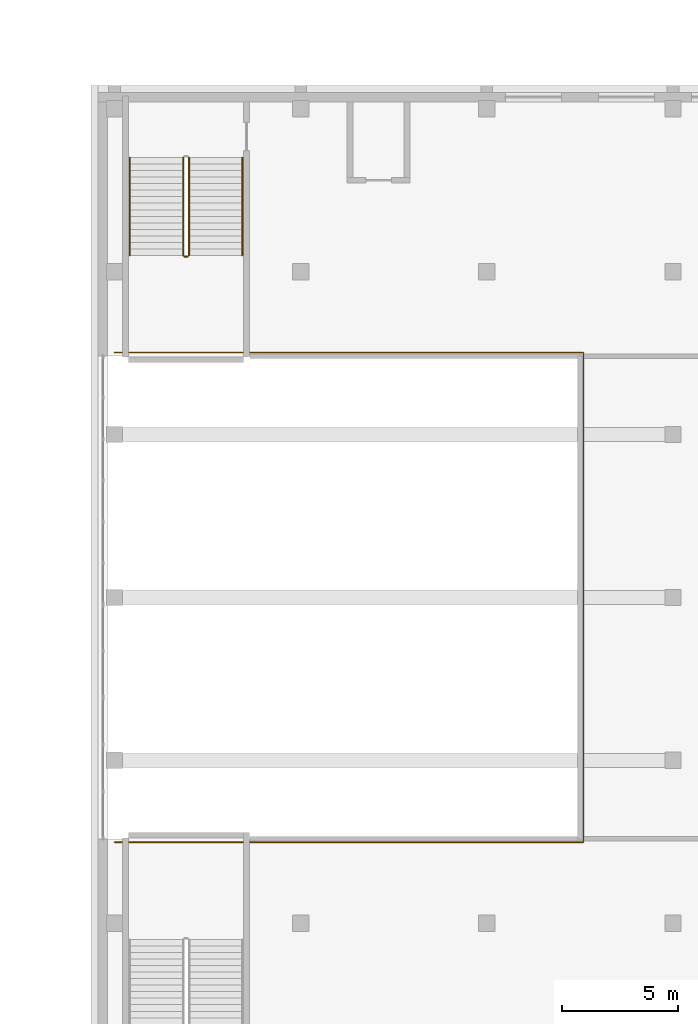
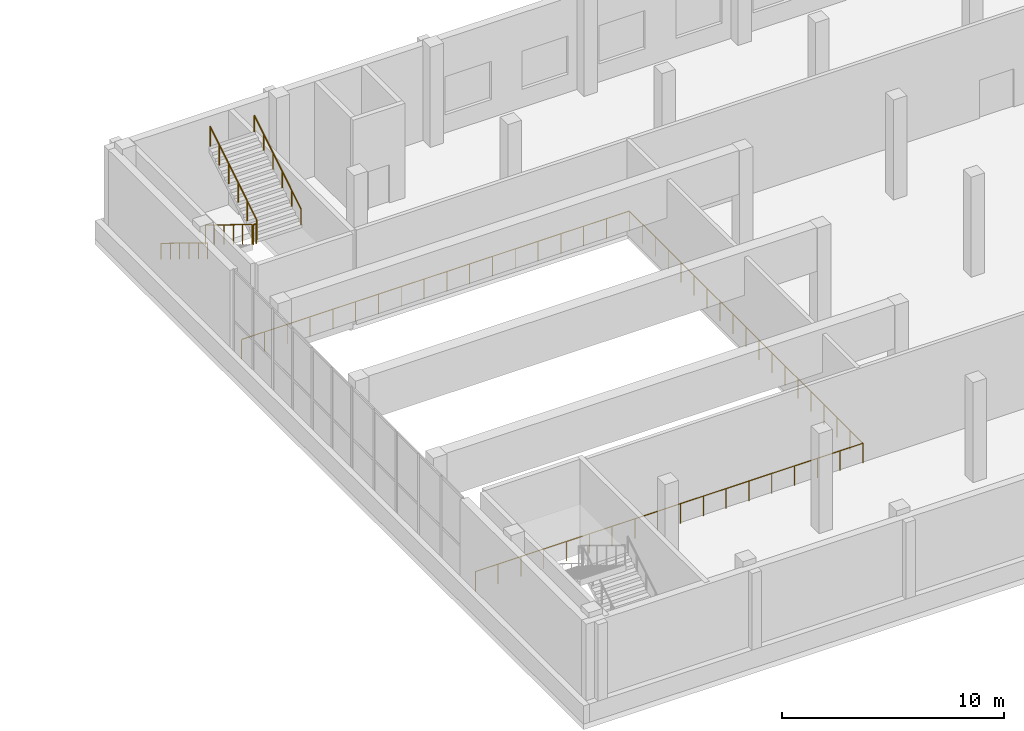
# One storey, part 32 of 35: 6 railings.
"""IFC4 building model written with IfcOpenShell, lengths in metres."""

from ifc_helpers import new_model, si_unit, direction, frame, origin, origin_2d, place, context, subcontext, project, spatial, circle, extrude, material, type_object, element, save


model = new_model("IFC4")

# Units and contexts
model_context = context("Model", 3, precision=1e-05, world=origin(), true_north=direction((0.0, 1.0)))
body_context = subcontext(model_context, "Body", "Model", "MODEL_VIEW")
ifc_project = project(units=[si_unit("LENGTHUNIT", "METRE"), si_unit("AREAUNIT", "SQUARE_METRE"), si_unit("VOLUMEUNIT", "CUBIC_METRE"), si_unit("PLANEANGLEUNIT", "RADIAN"), si_unit("MASSUNIT", "GRAM", prefix="KILO")], contexts=[model_context])

# Site, building, storey
site_placement = place(None, origin())
site = spatial("IfcSite", under=ifc_project, at=site_placement, CompositionType="ELEMENT")
building_placement = place(site_placement, origin())
building = spatial("IfcBuilding", under=site, at=building_placement, Name="Tamorin Gate", CompositionType="ELEMENT")
storey_placement = place(building_placement, frame((0.0, 0.0, 8.0)))
storey = spatial("IfcBuildingStorey", under=building, at=storey_placement, Name="L01", CompositionType="ELEMENT", Elevation=8.0)

# Railings
ifc_material = material(Name="Steel, galvanised", Category="steel")
railing_type_1 = type_object("IfcRailingType", Name="Steel guard 1100 museum", PredefinedType="GUARDRAIL", material=ifc_material)
railing_1_placement = place(storey_placement, frame((145.699951171875, 66.179931640625, 0.0)))
element("IfcRailing", 1, at=railing_1_placement, inside=storey, type_object=railing_type_1, Name="Atrium guard", PredefinedType="GUARDRAIL", context=body_context, shape_type="SweptSolid", body=[
    extrude(circle(Radius=0.02392578125, at=origin_2d()), frame((0.0, 0.0, 1.076171875), z_axis=(1.0, 0.0, 0.0), x_axis=(0.0, 1.0, 0.0)), (0.0, 0.0, 1.0), 20.150146484375),
    extrude(circle(Radius=0.02392578125, at=origin_2d()), frame((20.150146484375, 0.0, 1.076171875), z_axis=(0.0, 1.0, 0.0), x_axis=(-1.0, 0.0, 0.0)), (0.0, 0.0, 1.0), 21.0400390625),
    extrude(circle(Radius=0.02392578125, at=origin_2d()), frame((20.150146484375, 21.0400390625, 1.076171875), z_axis=(-1.0, 0.0, 0.0), x_axis=(0.0, -1.0, 0.0)), (0.0, 0.0, 1.0), 20.150146484375),
    extrude(circle(Radius=0.02099609375, at=origin_2d()), origin(), (0.0, 0.0, 1.0), 1.052001953125),
    extrude(circle(Radius=0.02099609375, at=origin_2d()), frame((1.185302734375, 0.0, 0.0)), (0.0, 0.0, 1.0), 1.052001953125),
    extrude(circle(Radius=0.02099609375, at=origin_2d()), frame((2.37060546875, 0.0, 0.0)), (0.0, 0.0, 1.0), 1.052001953125),
    extrude(circle(Radius=0.02099609375, at=origin_2d()), frame((3.555908203125, 0.0, 0.0)), (0.0, 0.0, 1.0), 1.052001953125),
    extrude(circle(Radius=0.02099609375, at=origin_2d()), frame((4.7412109375, 0.0, 0.0)), (0.0, 0.0, 1.0), 1.052001953125),
    extrude(circle(Radius=0.02099609375, at=origin_2d()), frame((5.926513671875, 0.0, 0.0)), (0.0, 0.0, 1.0), 1.052001953125),
    extrude(circle(Radius=0.02099609375, at=origin_2d()), frame((7.11181640625, 0.0, 0.0)), (0.0, 0.0, 1.0), 1.052001953125),
    extrude(circle(Radius=0.02099609375, at=origin_2d()), frame((8.297119140625, 0.0, 0.0)), (0.0, 0.0, 1.0), 1.052001953125),
    extrude(circle(Radius=0.02099609375, at=origin_2d()), frame((9.482421875, 0.0, 0.0)), (0.0, 0.0, 1.0), 1.052001953125),
    extrude(circle(Radius=0.02099609375, at=origin_2d()), frame((10.667724609375, 0.0, 0.0)), (0.0, 0.0, 1.0), 1.052001953125),
    extrude(circle(Radius=0.02099609375, at=origin_2d()), frame((11.85302734375, 0.0, 0.0)), (0.0, 0.0, 1.0), 1.052001953125),
    extrude(circle(Radius=0.02099609375, at=origin_2d()), frame((13.038330078125, 0.0, 0.0)), (0.0, 0.0, 1.0), 1.052001953125),
    extrude(circle(Radius=0.02099609375, at=origin_2d()), frame((14.2236328125, 0.0, 0.0)), (0.0, 0.0, 1.0), 1.052001953125),
    extrude(circle(Radius=0.02099609375, at=origin_2d()), frame((15.408935546875, 0.0, 0.0)), (0.0, 0.0, 1.0), 1.052001953125),
    extrude(circle(Radius=0.02099609375, at=origin_2d()), frame((16.59423828125, 0.0, 0.0)), (0.0, 0.0, 1.0), 1.052001953125),
    extrude(circle(Radius=0.02099609375, at=origin_2d()), frame((17.779541015625, 0.0, 0.0)), (0.0, 0.0, 1.0), 1.052001953125),
    extrude(circle(Radius=0.02099609375, at=origin_2d()), frame((18.96484375, 0.0, 0.0)), (0.0, 0.0, 1.0), 1.052001953125),
    extrude(circle(Radius=0.02099609375, at=origin_2d()), frame((20.150146484375, 0.0, 0.0)), (0.0, 0.0, 1.0), 1.052001953125),
    extrude(circle(Radius=0.02099609375, at=origin_2d()), frame((20.150146484375, 1.1689453125, 0.0)), (0.0, 0.0, 1.0), 1.052001953125),
    extrude(circle(Radius=0.02099609375, at=origin_2d()), frame((20.150146484375, 2.337890625, 0.0)), (0.0, 0.0, 1.0), 1.052001953125),
    extrude(circle(Radius=0.02099609375, at=origin_2d()), frame((20.150146484375, 3.506591796875, 0.0)), (0.0, 0.0, 1.0), 1.052001953125),
    extrude(circle(Radius=0.02099609375, at=origin_2d()), frame((20.150146484375, 4.675537109375, 0.0)), (0.0, 0.0, 1.0), 1.052001953125),
    extrude(circle(Radius=0.02099609375, at=origin_2d()), frame((20.150146484375, 5.844482421875, 0.0)), (0.0, 0.0, 1.0), 1.052001953125),
    extrude(circle(Radius=0.02099609375, at=origin_2d()), frame((20.150146484375, 7.013427734375, 0.0)), (0.0, 0.0, 1.0), 1.052001953125),
    extrude(circle(Radius=0.02099609375, at=origin_2d()), frame((20.150146484375, 8.18212890625, 0.0)), (0.0, 0.0, 1.0), 1.052001953125),
    extrude(circle(Radius=0.02099609375, at=origin_2d()), frame((20.150146484375, 9.35107421875, 0.0)), (0.0, 0.0, 1.0), 1.052001953125),
    extrude(circle(Radius=0.02099609375, at=origin_2d()), frame((20.150146484375, 10.52001953125, 0.0)), (0.0, 0.0, 1.0), 1.052001953125),
    extrude(circle(Radius=0.02099609375, at=origin_2d()), frame((20.150146484375, 11.68896484375, 0.0)), (0.0, 0.0, 1.0), 1.052001953125),
    extrude(circle(Radius=0.02099609375, at=origin_2d()), frame((20.150146484375, 12.85791015625, 0.0)), (0.0, 0.0, 1.0), 1.052001953125),
    extrude(circle(Radius=0.02099609375, at=origin_2d()), frame((20.150146484375, 14.026611328125, 0.0)), (0.0, 0.0, 1.0), 1.052001953125),
    extrude(circle(Radius=0.02099609375, at=origin_2d()), frame((20.150146484375, 15.195556640625, 0.0)), (0.0, 0.0, 1.0), 1.052001953125),
    extrude(circle(Radius=0.02099609375, at=origin_2d()), frame((20.150146484375, 16.364501953125, 0.0)), (0.0, 0.0, 1.0), 1.052001953125),
    extrude(circle(Radius=0.02099609375, at=origin_2d()), frame((20.150146484375, 17.533447265625, 0.0)), (0.0, 0.0, 1.0), 1.052001953125),
    extrude(circle(Radius=0.02099609375, at=origin_2d()), frame((20.150146484375, 18.7021484375, 0.0)), (0.0, 0.0, 1.0), 1.052001953125),
    extrude(circle(Radius=0.02099609375, at=origin_2d()), frame((20.150146484375, 19.87109375, 0.0)), (0.0, 0.0, 1.0), 1.052001953125),
    extrude(circle(Radius=0.02099609375, at=origin_2d()), frame((20.150146484375, 21.0400390625, 0.0)), (0.0, 0.0, 1.0), 1.052001953125),
    extrude(circle(Radius=0.02099609375, at=origin_2d()), frame((18.96484375, 21.0400390625, 0.0)), (0.0, 0.0, 1.0), 1.052001953125),
    extrude(circle(Radius=0.02099609375, at=origin_2d()), frame((17.779541015625, 21.0400390625, 0.0)), (0.0, 0.0, 1.0), 1.052001953125),
    extrude(circle(Radius=0.02099609375, at=origin_2d()), frame((16.59423828125, 21.0400390625, 0.0)), (0.0, 0.0, 1.0), 1.052001953125),
    extrude(circle(Radius=0.02099609375, at=origin_2d()), frame((15.408935546875, 21.0400390625, 0.0)), (0.0, 0.0, 1.0), 1.052001953125),
    extrude(circle(Radius=0.02099609375, at=origin_2d()), frame((14.2236328125, 21.0400390625, 0.0)), (0.0, 0.0, 1.0), 1.052001953125),
    extrude(circle(Radius=0.02099609375, at=origin_2d()), frame((13.038330078125, 21.0400390625, 0.0)), (0.0, 0.0, 1.0), 1.052001953125),
    extrude(circle(Radius=0.02099609375, at=origin_2d()), frame((11.85302734375, 21.0400390625, 0.0)), (0.0, 0.0, 1.0), 1.052001953125),
    extrude(circle(Radius=0.02099609375, at=origin_2d()), frame((10.667724609375, 21.0400390625, 0.0)), (0.0, 0.0, 1.0), 1.052001953125),
    extrude(circle(Radius=0.02099609375, at=origin_2d()), frame((9.482421875, 21.0400390625, 0.0)), (0.0, 0.0, 1.0), 1.052001953125),
    extrude(circle(Radius=0.02099609375, at=origin_2d()), frame((8.297119140625, 21.0400390625, 0.0)), (0.0, 0.0, 1.0), 1.052001953125),
    extrude(circle(Radius=0.02099609375, at=origin_2d()), frame((7.11181640625, 21.0400390625, 0.0)), (0.0, 0.0, 1.0), 1.052001953125),
    extrude(circle(Radius=0.02099609375, at=origin_2d()), frame((5.926513671875, 21.0400390625, 0.0)), (0.0, 0.0, 1.0), 1.052001953125),
    extrude(circle(Radius=0.02099609375, at=origin_2d()), frame((4.7412109375, 21.0400390625, 0.0)), (0.0, 0.0, 1.0), 1.052001953125),
    extrude(circle(Radius=0.02099609375, at=origin_2d()), frame((3.555908203125, 21.0400390625, 0.0)), (0.0, 0.0, 1.0), 1.052001953125),
    extrude(circle(Radius=0.02099609375, at=origin_2d()), frame((2.37060546875, 21.0400390625, 0.0)), (0.0, 0.0, 1.0), 1.052001953125),
    extrude(circle(Radius=0.02099609375, at=origin_2d()), frame((1.185302734375, 21.0400390625, 0.0)), (0.0, 0.0, 1.0), 1.052001953125),
    extrude(circle(Radius=0.02099609375, at=origin_2d()), frame((0.0, 21.0400390625, 0.0)), (0.0, 0.0, 1.0), 1.052001953125),
])
railing_2_placement = place(storey_placement, frame((148.64990234375, 95.60009765625, 0.171875)))
element("IfcRailing", 2, at=railing_2_placement, inside=storey, type_object=railing_type_1, Name="L01 PS6 stair guard 1", PredefinedType="GUARDRAIL", context=body_context, shape_type="SweptSolid", body=[
    extrude(circle(Radius=0.02392578125, at=origin_2d()), frame((0.0, 0.0, 1.076171875), z_axis=(0.0, -0.852256472501, 0.523124177495), x_axis=(1.0, 0.0, 0.0)), (0.0, 0.0, 1.0), 4.92822265625),
    extrude(circle(Radius=0.02099609375, at=origin_2d()), origin(), (0.0, 0.0, 1.0), 1.052001953125),
    extrude(circle(Radius=0.02099609375, at=origin_2d()), frame((0.0, -0.840087890625, 0.515625)), (0.0, 0.0, 1.0), 1.052001953125),
    extrude(circle(Radius=0.02099609375, at=origin_2d()), frame((0.0, -1.68017578125, 1.03125)), (0.0, 0.0, 1.0), 1.052001953125),
    extrude(circle(Radius=0.02099609375, at=origin_2d()), frame((0.0, -2.52001953125, 1.546875)), (0.0, 0.0, 1.0), 1.052001953125),
    extrude(circle(Radius=0.02099609375, at=origin_2d()), frame((0.0, -3.360107421875, 2.0625)), (0.0, 0.0, 1.0), 1.052001953125),
    extrude(circle(Radius=0.02099609375, at=origin_2d()), frame((0.0, -4.2001953125, 2.578125)), (0.0, 0.0, 1.0), 1.052001953125),
])
railing_3_placement = place(storey_placement, frame((148.699951171875, 91.35009765625, 2.75)))
element("IfcRailing", 3, at=railing_3_placement, inside=storey, type_object=railing_type_1, Name="L01 PS6 stair guard 2", PredefinedType="GUARDRAIL", context=body_context, shape_type="SweptSolid", body=[
    extrude(circle(Radius=0.02392578125, at=origin_2d()), frame((0.0, 0.0, 1.076171875), z_axis=(1.0, 0.0, 0.0), x_axis=(0.0, 1.0, 0.0)), (0.0, 0.0, 1.0), 0.150146484375),
    extrude(circle(Radius=0.02099609375, at=origin_2d()), origin(), (0.0, 0.0, 1.0), 1.052001953125),
    extrude(circle(Radius=0.02099609375, at=origin_2d()), frame((0.150146484375, 0.0, 0.0)), (0.0, 0.0, 1.0), 1.052001953125),
])
railing_4_placement = place(storey_placement, frame((148.89990234375, 91.39990234375, 2.921875)))
element("IfcRailing", 4, at=railing_4_placement, inside=storey, type_object=railing_type_1, Name="L01 PS6 stair guard 3", PredefinedType="GUARDRAIL", context=body_context, shape_type="SweptSolid", body=[
    extrude(circle(Radius=0.02392578125, at=origin_2d()), frame((0.0, 0.0, 1.076171875), z_axis=(0.0, 0.852256472501, 0.523124177495), x_axis=(-1.0, 0.0, 0.0)), (0.0, 0.0, 1.0), 4.92822265625),
    extrude(circle(Radius=0.02099609375, at=origin_2d()), origin(), (0.0, 0.0, 1.0), 1.052001953125),
    extrude(circle(Radius=0.02099609375, at=origin_2d()), frame((0.0, 0.840087890625, 0.515625)), (0.0, 0.0, 1.0), 1.052001953125),
    extrude(circle(Radius=0.02099609375, at=origin_2d()), frame((0.0, 1.68017578125, 1.03125)), (0.0, 0.0, 1.0), 1.052001953125),
    extrude(circle(Radius=0.02099609375, at=origin_2d()), frame((0.0, 2.52001953125, 1.546875)), (0.0, 0.0, 1.0), 1.052001953125),
    extrude(circle(Radius=0.02099609375, at=origin_2d()), frame((0.0, 3.360107421875, 2.0625)), (0.0, 0.0, 1.0), 1.052001953125),
    extrude(circle(Radius=0.02099609375, at=origin_2d()), frame((0.0, 4.2001953125, 2.578125)), (0.0, 0.0, 1.0), 1.052001953125),
])
railing_type_2 = type_object("IfcRailingType", Name="Steel handrail 900 museum", PredefinedType="HANDRAIL", material=ifc_material)
railing_5_placement = place(storey_placement, frame((146.35009765625, 95.60009765625, 0.171875)))
element("IfcRailing", 5, at=railing_5_placement, inside=storey, type_object=railing_type_2, Name="L01 PS6 stair handrail 1", PredefinedType="HANDRAIL", context=body_context, shape_type="SweptSolid", body=[
    extrude(circle(Radius=0.02392578125, at=origin_2d()), frame((0.0, 0.0, 0.8759765625), z_axis=(0.0, -0.852256472501, 0.523124177495), x_axis=(1.0, 0.0, 0.0)), (0.0, 0.0, 1.0), 4.92822265625),
    extrude(circle(Radius=0.02099609375, at=origin_2d()), origin(), (0.0, 0.0, 1.0), 0.851806640625),
    extrude(circle(Radius=0.02099609375, at=origin_2d()), frame((0.0, -0.840087890625, 0.515625)), (0.0, 0.0, 1.0), 0.851806640625),
    extrude(circle(Radius=0.02099609375, at=origin_2d()), frame((0.0, -1.68017578125, 1.03125)), (0.0, 0.0, 1.0), 0.851806640625),
    extrude(circle(Radius=0.02099609375, at=origin_2d()), frame((0.0, -2.52001953125, 1.546875)), (0.0, 0.0, 1.0), 0.851806640625),
    extrude(circle(Radius=0.02099609375, at=origin_2d()), frame((0.0, -3.360107421875, 2.0625)), (0.0, 0.0, 1.0), 0.851806640625),
    extrude(circle(Radius=0.02099609375, at=origin_2d()), frame((0.0, -4.2001953125, 2.578125)), (0.0, 0.0, 1.0), 0.851806640625),
])
railing_6_placement = place(storey_placement, frame((151.199951171875, 91.39990234375, 2.921875)))
element("IfcRailing", 6, at=railing_6_placement, inside=storey, type_object=railing_type_2, Name="L01 PS6 stair handrail 2", PredefinedType="HANDRAIL", context=body_context, shape_type="SweptSolid", body=[
    extrude(circle(Radius=0.02392578125, at=origin_2d()), frame((0.0, 0.0, 0.8759765625), z_axis=(0.0, 0.852256472501, 0.523124177495), x_axis=(-1.0, 0.0, 0.0)), (0.0, 0.0, 1.0), 4.92822265625),
    extrude(circle(Radius=0.02099609375, at=origin_2d()), origin(), (0.0, 0.0, 1.0), 0.851806640625),
    extrude(circle(Radius=0.02099609375, at=origin_2d()), frame((0.0, 0.840087890625, 0.515625)), (0.0, 0.0, 1.0), 0.851806640625),
    extrude(circle(Radius=0.02099609375, at=origin_2d()), frame((0.0, 1.68017578125, 1.03125)), (0.0, 0.0, 1.0), 0.851806640625),
    extrude(circle(Radius=0.02099609375, at=origin_2d()), frame((0.0, 2.52001953125, 1.546875)), (0.0, 0.0, 1.0), 0.851806640625),
    extrude(circle(Radius=0.02099609375, at=origin_2d()), frame((0.0, 3.360107421875, 2.0625)), (0.0, 0.0, 1.0), 0.851806640625),
    extrude(circle(Radius=0.02099609375, at=origin_2d()), frame((0.0, 4.2001953125, 2.578125)), (0.0, 0.0, 1.0), 0.851806640625),
])

save(model, "model.ifc")
